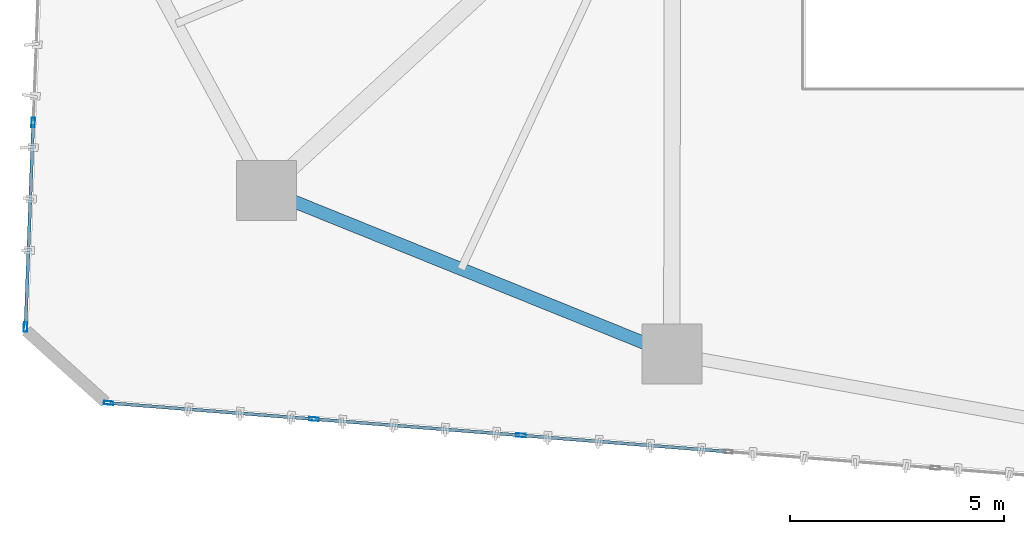
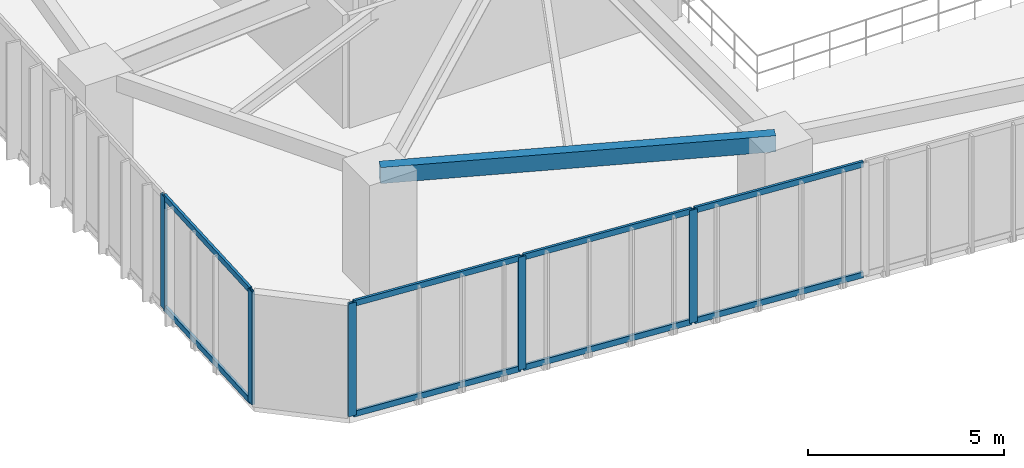
# One storey, part 2 of 23: 13 members, 1 beam, 2 elements without a shape of their own.
"""IFC4 building model written with IfcOpenShell, lengths in metres."""

from ifc_helpers import new_model, si_unit, direction, frame, origin, origin_2d, place, context, subcontext, project, spatial, hollow_rectangle, extrude, source, transform, mapped, material, layer, layer_set, material_profile, profile_set, type_object, type_shapes, element, aggregate, save


model = new_model("IFC4")

# Units and contexts
model_context = context("Model", 3, precision=1e-05, world=origin(), true_north=direction((0.0, 1.0)))
body_context = subcontext(model_context, "Body", "Model", "MODEL_VIEW")
ifc_project = project(units=[si_unit("LENGTHUNIT", "METRE"), si_unit("AREAUNIT", "SQUARE_METRE"), si_unit("VOLUMEUNIT", "CUBIC_METRE"), si_unit("PLANEANGLEUNIT", "RADIAN"), si_unit("MASSUNIT", "GRAM", prefix="KILO")], contexts=[model_context])

# Site, building, storey
site_placement = place(None, origin())
site = spatial("IfcSite", under=ifc_project, at=site_placement, CompositionType="ELEMENT")
building_placement = place(site_placement, origin())
building = spatial("IfcBuilding", under=site, at=building_placement, Name="Talar Marvaseh", CompositionType="ELEMENT")
storey_placement = place(building_placement, frame((0.0, 0.0, 77.199951171875)))
storey = spatial("IfcBuildingStorey", under=building, at=storey_placement, Name="L19", CompositionType="ELEMENT", Elevation=77.199951171875)

# Beam
ifc_material_1 = material(Name="Steel S355", Category="steel")
ifc_material_profile_1 = material_profile(ifc_material_1, hollow_rectangle(XDim=0.300048828125, YDim=0.5, WallThickness=0.02001953125, at=origin_2d()), Name="RHS500x300x20")
ifc_profile_set_1 = profile_set([ifc_material_profile_1], Name="Steel S355")
beam_type = type_object("IfcBeamType", Name="Zone 1 Perimeter Spandrel Beam RHS500x300x20", PredefinedType="SPANDREL", material=ifc_profile_set_1)
beam_placement = place(storey_placement, frame((18.68310546875, 12.97900390625, 3.27001953125), z_axis=(-0.927239278118, 0.374469386084, 0.0), x_axis=(-0.374469386084, -0.927239278118, 0.0)))
element("IfcBeam", 1, at=beam_placement, inside=storey, type_object=beam_type, Name="L19 Zone 1 Perimeter Spandrel Beam RHS500x300x20", PredefinedType="SPANDREL", context=body_context, shape_type="SweptSolid", body=[
    extrude(hollow_rectangle(XDim=0.300048828125, YDim=0.5, WallThickness=0.02001953125, at=origin_2d()), origin(), (0.0, 0.0, 1.0), 10.19287109375),
])

# Curtain wall, members
ifc_material_2 = material(Name="Architectural Aluminium", Category="aluminium")
ifc_layer = layer(ifc_material_2, 0.219970703125)
ifc_layer_set = layer_set([ifc_layer], Name="Architectural Aluminium")
curtain_wall_type = type_object("IfcCurtainWallType", Name="Unitised Low-E Museum Curtain Wall Z1", PredefinedType="NOTDEFINED", material=ifc_layer_set)
curtain_wall_1_placement = place(storey_placement, origin())
curtain_wall_1 = element("IfcCurtainWall", 2, at=curtain_wall_1_placement, inside=storey, type_object=curtain_wall_type, Name="L19 Unitised Low-E Museum Curtain Wall Z1", PredefinedType="NOTDEFINED")
ifc_material_profile_2 = material_profile(ifc_material_2, hollow_rectangle(XDim=0.080078125, YDim=0.219970703125, WallThickness=0.0048828125, at=origin_2d()), Name="RHS220x80x5")
ifc_profile_set_2 = profile_set([ifc_material_profile_2], Name="Architectural Aluminium")
member_type_1 = type_object("IfcMemberType", Name="Unitised Curtain Wall Heavy Mullion RHS220x80x5", PredefinedType="MULLION", material=ifc_profile_set_2)
shared_shape_1 = source(origin(), body_context, "Body", "SweptSolid", [
    extrude(hollow_rectangle(XDim=0.080078125, YDim=0.219970703125, WallThickness=0.0048828125, at=origin_2d()), origin(), (0.0, 0.0, 1.0), 3.52001953125),
])
type_shapes(member_type_1, [shared_shape_1])
member_1_placement = place(storey_placement, frame((3.607421875, 13.609375, 0.0), z_axis=(0.0, 0.0, 1.0), x_axis=(-0.99929348911, 0.037583541904, 0.0)))
member_1 = element("IfcMember", 3, at=member_1_placement, type_object=member_type_1, Name="CW-Z1 mullion 1", PredefinedType="MULLION", context=body_context, shape_type="MappedRepresentation", body=[
    mapped(shared_shape_1, transform((0.0, 0.0, 0.0), x_axis=(1.0, 0.0, 0.0), y_axis=(0.0, 1.0, 0.0), z_axis=(0.0, 0.0, 1.0), scale=1.0)),
])
member_2_placement = place(storey_placement, frame((3.787109375, 18.3828125, 0.0), z_axis=(0.0, 0.0, 1.0), x_axis=(-0.99929348911, 0.037583541904, 0.0)))
member_2 = element("IfcMember", 4, at=member_2_placement, type_object=member_type_1, Name="CW-Z1 mullion 2", PredefinedType="MULLION", context=body_context, shape_type="MappedRepresentation", body=[
    mapped(shared_shape_1, transform((0.0, 0.0, 0.0), x_axis=(1.0, 0.0, 0.0), y_axis=(0.0, 1.0, 0.0), z_axis=(0.0, 0.0, 1.0), scale=1.0)),
])

curtain_wall_2_placement = place(storey_placement, origin())
curtain_wall_2 = element("IfcCurtainWall", 5, at=curtain_wall_2_placement, inside=storey, type_object=curtain_wall_type, Name="L19 Unitised Low-E Museum Curtain Wall Z1", PredefinedType="NOTDEFINED")
member_3_placement = place(storey_placement, frame((15.166015625, 11.083984375, 0.0), z_axis=(0.0, 0.0, 1.0), x_axis=(-0.078306193639, -0.99692935559, 0.0)))
member_3 = element("IfcMember", 6, at=member_3_placement, type_object=member_type_1, Name="CW-Z1 mullion 4", PredefinedType="MULLION", context=body_context, shape_type="MappedRepresentation", body=[
    mapped(shared_shape_1, transform((0.0, 0.0, 0.0), x_axis=(1.0, 0.0, 0.0), y_axis=(0.0, 1.0, 0.0), z_axis=(0.0, 0.0, 1.0), scale=1.0)),
])
member_4_placement = place(storey_placement, frame((10.335693359375, 11.46337890625, 0.0), z_axis=(0.0, 0.0, 1.0), x_axis=(-0.078306193639, -0.99692935559, 0.0)))
member_4 = element("IfcMember", 7, at=member_4_placement, type_object=member_type_1, Name="CW-Z1 mullion 5", PredefinedType="MULLION", context=body_context, shape_type="MappedRepresentation", body=[
    mapped(shared_shape_1, transform((0.0, 0.0, 0.0), x_axis=(1.0, 0.0, 0.0), y_axis=(0.0, 1.0, 0.0), z_axis=(0.0, 0.0, 1.0), scale=1.0)),
])
member_5_placement = place(storey_placement, frame((5.545166015625, 11.839599609375, 0.0), z_axis=(0.0, 0.0, 1.0), x_axis=(-0.078306193639, -0.99692935559, 0.0)))
member_5 = element("IfcMember", 8, at=member_5_placement, type_object=member_type_1, Name="CW-Z1 mullion 6", PredefinedType="MULLION", context=body_context, shape_type="MappedRepresentation", body=[
    mapped(shared_shape_1, transform((0.0, 0.0, 0.0), x_axis=(1.0, 0.0, 0.0), y_axis=(0.0, 1.0, 0.0), z_axis=(0.0, 0.0, 1.0), scale=1.0)),
])

# Member
ifc_material_profile_3 = material_profile(ifc_material_2, hollow_rectangle(XDim=0.074951171875, YDim=0.179931640625, WallThickness=0.0048828125, at=origin_2d()), Name="RHS180x75x5")
ifc_profile_set_3 = profile_set([ifc_material_profile_3], Name="Architectural Aluminium")
member_type_2 = type_object("IfcMemberType", Name="Unitised Curtain Wall Transom RHS180x75x5", PredefinedType="USERDEFINED", material=ifc_profile_set_3)
shared_shape_2 = source(origin(), body_context, "Body", "SweptSolid", [
    extrude(hollow_rectangle(XDim=0.074951171875, YDim=0.179931640625, WallThickness=0.0048828125, at=origin_2d()), origin(), (0.0, 0.0, 1.0), 4.69677734375),
])
member_6_placement = place(storey_placement, frame((3.60888671875, 13.6494140625, 0.03759765625), z_axis=(0.037582668351, 0.999293521964, 0.0), x_axis=(-0.999293521964, 0.037582668351, 0.0)))
member_6 = element("IfcMember", 9, at=member_6_placement, type_object=member_type_2, Name="CW-Z1 transom 1.1", ObjectType="TRANSOM", PredefinedType="USERDEFINED", context=body_context, shape_type="MappedRepresentation", body=[
    mapped(shared_shape_2, transform((0.0, 0.0, 0.0), x_axis=(1.0, 0.0, 0.0), y_axis=(0.0, 1.0, 0.0), z_axis=(0.0, 0.0, 1.0), scale=1.0)),
])

member_7_placement = place(storey_placement, frame((3.60888671875, 13.6494140625, 3.482666015625), z_axis=(0.037582668351, 0.999293521964, 0.0), x_axis=(-0.999293521964, 0.037582668351, 0.0)))
member_7 = element("IfcMember", 10, at=member_7_placement, type_object=member_type_2, Name="CW-Z1 transom 1.2", ObjectType="TRANSOM", PredefinedType="USERDEFINED", context=body_context, shape_type="MappedRepresentation", body=[
    mapped(shared_shape_2, transform((0.0, 0.0, 0.0), x_axis=(1.0, 0.0, 0.0), y_axis=(0.0, 1.0, 0.0), z_axis=(0.0, 0.0, 1.0), scale=1.0)),
])

aggregate(curtain_wall_1, [member_1, member_2, member_6, member_7])

shared_shape_3 = source(origin(), body_context, "Body", "SweptSolid", [
    extrude(hollow_rectangle(XDim=0.074951171875, YDim=0.179931640625, WallThickness=0.0048828125, at=origin_2d()), origin(), (0.0, 0.0, 1.0), 4.725341796875),
])
member_8_placement = place(storey_placement, frame((10.2958984375, 11.466552734375, 0.03759765625), z_axis=(-0.996931978019, 0.078272799891, 0.0), x_axis=(-0.078272799891, -0.996931978019, 0.0)))
member_8 = element("IfcMember", 11, at=member_8_placement, type_object=member_type_2, Name="CW-Z1 transom 5.1", ObjectType="TRANSOM", PredefinedType="USERDEFINED", context=body_context, shape_type="MappedRepresentation", body=[
    mapped(shared_shape_3, transform((0.0, 0.0, 0.0), x_axis=(1.0, 0.0, 0.0), y_axis=(0.0, 1.0, 0.0), z_axis=(0.0, 0.0, 1.0), scale=1.0)),
])

member_9_placement = place(storey_placement, frame((10.2958984375, 11.466552734375, 3.482666015625), z_axis=(-0.996931978019, 0.078272799891, 0.0), x_axis=(-0.078272799891, -0.996931978019, 0.0)))
member_9 = element("IfcMember", 12, at=member_9_placement, type_object=member_type_2, Name="CW-Z1 transom 5.2", ObjectType="TRANSOM", PredefinedType="USERDEFINED", context=body_context, shape_type="MappedRepresentation", body=[
    mapped(shared_shape_3, transform((0.0, 0.0, 0.0), x_axis=(1.0, 0.0, 0.0), y_axis=(0.0, 1.0, 0.0), z_axis=(0.0, 0.0, 1.0), scale=1.0)),
])

shared_shape_4 = source(origin(), body_context, "Body", "SweptSolid", [
    extrude(hollow_rectangle(XDim=0.074951171875, YDim=0.179931640625, WallThickness=0.0048828125, at=origin_2d()), origin(), (0.0, 0.0, 1.0), 4.765380859375),
])
type_shapes(member_type_2, [shared_shape_2, shared_shape_3, shared_shape_4])
member_10_placement = place(storey_placement, frame((19.956787109375, 10.707763671875, 0.03759765625), z_axis=(-0.996931169331, 0.078283099169, 0.0), x_axis=(-0.078283099169, -0.996931169331, 0.0)))
member_10 = element("IfcMember", 13, at=member_10_placement, type_object=member_type_2, Name="CW-Z1 transom 3.1", ObjectType="TRANSOM", PredefinedType="USERDEFINED", context=body_context, shape_type="MappedRepresentation", body=[
    mapped(shared_shape_4, transform((0.0, 0.0, 0.0), x_axis=(1.0, 0.0, 0.0), y_axis=(0.0, 1.0, 0.0), z_axis=(0.0, 0.0, 1.0), scale=1.0)),
])

member_11_placement = place(storey_placement, frame((19.956787109375, 10.707763671875, 3.482666015625), z_axis=(-0.996931169331, 0.078283099169, 0.0), x_axis=(-0.078283099169, -0.996931169331, 0.0)))
member_11 = element("IfcMember", 14, at=member_11_placement, type_object=member_type_2, Name="CW-Z1 transom 3.2", ObjectType="TRANSOM", PredefinedType="USERDEFINED", context=body_context, shape_type="MappedRepresentation", body=[
    mapped(shared_shape_4, transform((0.0, 0.0, 0.0), x_axis=(1.0, 0.0, 0.0), y_axis=(0.0, 1.0, 0.0), z_axis=(0.0, 0.0, 1.0), scale=1.0)),
])

member_12_placement = place(storey_placement, frame((15.126220703125, 11.087158203125, 0.03759765625), z_axis=(-0.996931169331, 0.078283099169, 0.0), x_axis=(-0.078283099169, -0.996931169331, 0.0)))
member_12 = element("IfcMember", 15, at=member_12_placement, type_object=member_type_2, Name="CW-Z1 transom 4.1", ObjectType="TRANSOM", PredefinedType="USERDEFINED", context=body_context, shape_type="MappedRepresentation", body=[
    mapped(shared_shape_4, transform((0.0, 0.0, 0.0), x_axis=(1.0, 0.0, 0.0), y_axis=(0.0, 1.0, 0.0), z_axis=(0.0, 0.0, 1.0), scale=1.0)),
])

member_13_placement = place(storey_placement, frame((15.126220703125, 11.087158203125, 3.482666015625), z_axis=(-0.996931169331, 0.078283099169, 0.0), x_axis=(-0.078283099169, -0.996931169331, 0.0)))
member_13 = element("IfcMember", 16, at=member_13_placement, type_object=member_type_2, Name="CW-Z1 transom 4.2", ObjectType="TRANSOM", PredefinedType="USERDEFINED", context=body_context, shape_type="MappedRepresentation", body=[
    mapped(shared_shape_4, transform((0.0, 0.0, 0.0), x_axis=(1.0, 0.0, 0.0), y_axis=(0.0, 1.0, 0.0), z_axis=(0.0, 0.0, 1.0), scale=1.0)),
])

aggregate(curtain_wall_2, [member_3, member_4, member_5, member_10, member_11, member_12, member_13, member_8, member_9])

save(model, "model.ifc")
